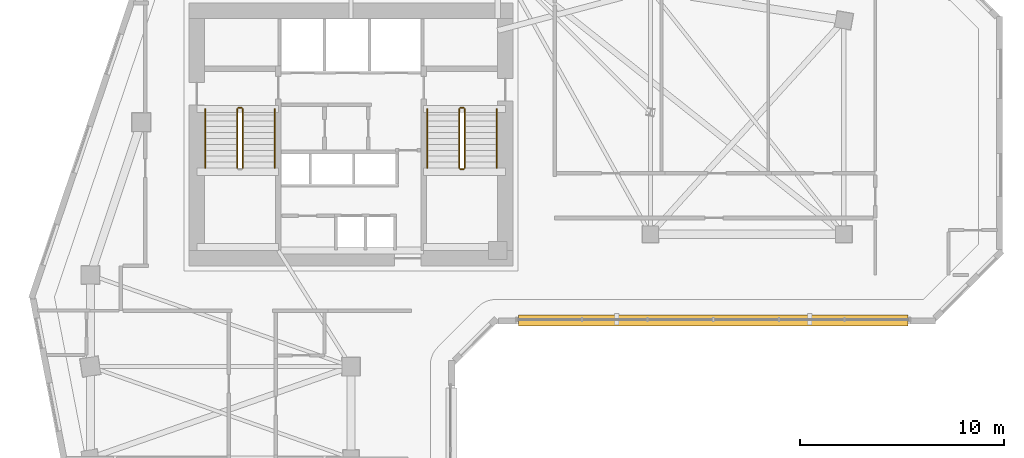
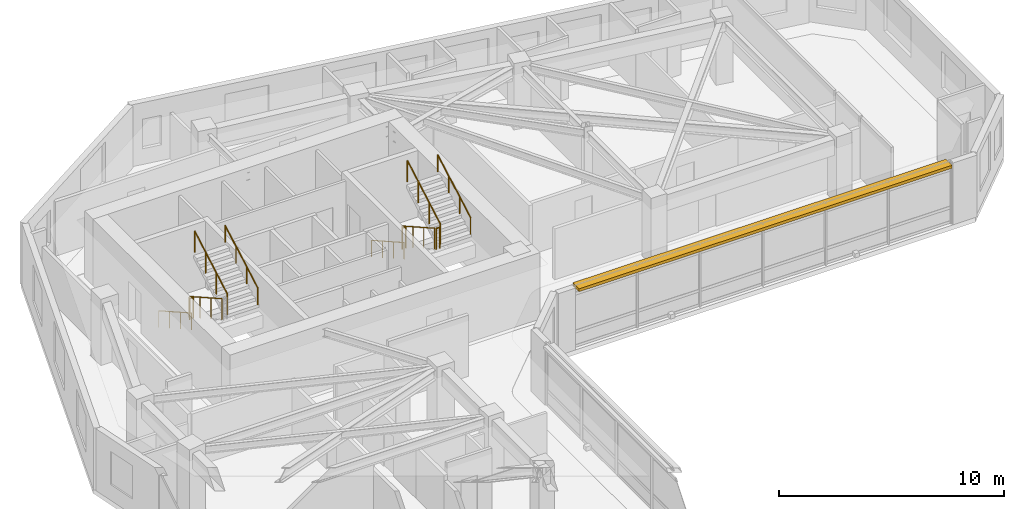
# One storey, part 11 of 11: 11 railings, 1 shading device.
"""IFC4 building model written with IfcOpenShell, lengths in metres."""

from ifc_helpers import new_model, si_unit, direction, frame, frame_2d, origin, origin_2d, place, context, subcontext, project, spatial, rectangle, circle, extrude, material, type_object, element, save


model = new_model("IFC4")

# Units and contexts
model_context = context("Model", 3, precision=1e-05, world=origin(), true_north=direction((0.0, 1.0)))
body_context = subcontext(model_context, "Body", "Model", "MODEL_VIEW")
ifc_project = project(units=[si_unit("LENGTHUNIT", "METRE"), si_unit("AREAUNIT", "SQUARE_METRE"), si_unit("VOLUMEUNIT", "CUBIC_METRE"), si_unit("PLANEANGLEUNIT", "RADIAN"), si_unit("MASSUNIT", "GRAM", prefix="KILO")], contexts=[model_context])

# Site, building, storey
site_placement = place(None, origin())
site = spatial("IfcSite", under=ifc_project, at=site_placement, CompositionType="ELEMENT")
building_placement = place(site_placement, origin())
building = spatial("IfcBuilding", under=site, at=building_placement, Name="Calvemar Wedge Station Tower", CompositionType="ELEMENT")
storey_placement = place(building_placement, frame((0.0, 0.0, 114.199951171875)))
storey = spatial("IfcBuildingStorey", under=building, at=storey_placement, Name="L27", CompositionType="ELEMENT", Elevation=114.199951171875)

# Railings
ifc_material_1 = material(Name="Stainless steel AISI 316L", Category="steel")
railing_type_1 = type_object("IfcRailingType", Name="RL-HANDRAIL-920", PredefinedType="HANDRAIL", material=ifc_material_1)
railing_1_placement = place(storey_placement, frame((16.64990234375, 41.14990234375, 0.16357421875)))
element("IfcRailing", 1, at=railing_1_placement, inside=storey, type_object=railing_type_1, Name="L27 ST-C1 stair handrail 1", PredefinedType="HANDRAIL", context=body_context, shape_type="SweptSolid", body=[
    extrude(circle(Radius=0.02392578125, at=origin_2d()), frame((0.0, 0.0, 0.89599609375), z_axis=(0.0, -0.870897200241, 0.491465224214), x_axis=(1.0, 0.0, 0.0)), (0.0, 0.0, 1.0), 3.329833984375),
    extrude(circle(Radius=0.02099609375, at=origin_2d()), origin(), (0.0, 0.0, 1.0), 0.871826171875),
    extrude(circle(Radius=0.02099609375, at=origin_2d()), frame((0.0, -0.966552734375, 0.54541015625)), (0.0, 0.0, 1.0), 0.871826171875),
    extrude(circle(Radius=0.02099609375, at=origin_2d()), frame((0.0, -1.933349609375, 1.091064453125)), (0.0, 0.0, 1.0), 0.871826171875),
    extrude(circle(Radius=0.02099609375, at=origin_2d()), frame((0.0, -2.89990234375, 1.636474609375)), (0.0, 0.0, 1.0), 0.871826171875),
])
railing_2_placement = place(storey_placement, frame((20.050048828125, 38.25, 1.963623046875)))
element("IfcRailing", 2, at=railing_2_placement, inside=storey, type_object=railing_type_1, Name="L27 ST-C1 stair handrail 2", PredefinedType="HANDRAIL", context=body_context, shape_type="SweptSolid", body=[
    extrude(circle(Radius=0.02392578125, at=origin_2d()), frame((0.0, 0.0, 0.89599609375), z_axis=(0.0, 0.870897200241, 0.491465224214), x_axis=(-1.0, 0.0, 0.0)), (0.0, 0.0, 1.0), 3.329833984375),
    extrude(circle(Radius=0.02099609375, at=origin_2d()), origin(), (0.0, 0.0, 1.0), 0.871826171875),
    extrude(circle(Radius=0.02099609375, at=origin_2d()), frame((0.0, 0.966552734375, 0.54541015625)), (0.0, 0.0, 1.0), 0.871826171875),
    extrude(circle(Radius=0.02099609375, at=origin_2d()), frame((0.0, 1.933349609375, 1.091064453125)), (0.0, 0.0, 1.0), 0.871826171875),
    extrude(circle(Radius=0.02099609375, at=origin_2d()), frame((0.0, 2.89990234375, 1.636474609375)), (0.0, 0.0, 1.0), 0.871826171875),
])
railing_3_placement = place(storey_placement, frame((27.550048828125, 41.14990234375, 0.16357421875)))
element("IfcRailing", 3, at=railing_3_placement, inside=storey, type_object=railing_type_1, Name="L27 ST-C2 stair handrail 1", PredefinedType="HANDRAIL", context=body_context, shape_type="SweptSolid", body=[
    extrude(circle(Radius=0.02392578125, at=origin_2d()), frame((0.0, 0.0, 0.89599609375), z_axis=(0.0, -0.870897200241, 0.491465224214), x_axis=(1.0, 0.0, 0.0)), (0.0, 0.0, 1.0), 3.329833984375),
    extrude(circle(Radius=0.02099609375, at=origin_2d()), origin(), (0.0, 0.0, 1.0), 0.871826171875),
    extrude(circle(Radius=0.02099609375, at=origin_2d()), frame((0.0, -0.966552734375, 0.54541015625)), (0.0, 0.0, 1.0), 0.871826171875),
    extrude(circle(Radius=0.02099609375, at=origin_2d()), frame((0.0, -1.933349609375, 1.091064453125)), (0.0, 0.0, 1.0), 0.871826171875),
    extrude(circle(Radius=0.02099609375, at=origin_2d()), frame((0.0, -2.89990234375, 1.636474609375)), (0.0, 0.0, 1.0), 0.871826171875),
])
railing_4_placement = place(storey_placement, frame((30.949951171875, 38.25, 1.963623046875)))
element("IfcRailing", 4, at=railing_4_placement, inside=storey, type_object=railing_type_1, Name="L27 ST-C2 stair handrail 2", PredefinedType="HANDRAIL", context=body_context, shape_type="SweptSolid", body=[
    extrude(circle(Radius=0.02392578125, at=origin_2d()), frame((0.0, 0.0, 0.89599609375), z_axis=(0.0, 0.870897200241, 0.491465224214), x_axis=(-1.0, 0.0, 0.0)), (0.0, 0.0, 1.0), 3.329833984375),
    extrude(circle(Radius=0.02099609375, at=origin_2d()), origin(), (0.0, 0.0, 1.0), 0.871826171875),
    extrude(circle(Radius=0.02099609375, at=origin_2d()), frame((0.0, 0.966552734375, 0.54541015625)), (0.0, 0.0, 1.0), 0.871826171875),
    extrude(circle(Radius=0.02099609375, at=origin_2d()), frame((0.0, 1.933349609375, 1.091064453125)), (0.0, 0.0, 1.0), 0.871826171875),
    extrude(circle(Radius=0.02099609375, at=origin_2d()), frame((0.0, 2.89990234375, 1.636474609375)), (0.0, 0.0, 1.0), 0.871826171875),
])
ifc_material_2 = material(Name="Painted steel guardrail ASTM A500 Grade C", Category="steel")
railing_type_2 = type_object("IfcRailingType", Name="RL-STAIR-GUARD-1150", PredefinedType="GUARDRAIL", material=ifc_material_2)
railing_5_placement = place(storey_placement, frame((18.2099609375, 41.14990234375, 0.16357421875)))
element("IfcRailing", 5, at=railing_5_placement, inside=storey, type_object=railing_type_2, Name="L27 ST-C1 stair guard 1", PredefinedType="GUARDRAIL", context=body_context, shape_type="SweptSolid", body=[
    extrude(circle(Radius=0.02392578125, at=origin_2d()), frame((0.0, 0.0, 1.1259765625), z_axis=(0.0, -0.870897200241, 0.491465224214), x_axis=(1.0, 0.0, 0.0)), (0.0, 0.0, 1.0), 3.329833984375),
    extrude(circle(Radius=0.02099609375, at=origin_2d()), origin(), (0.0, 0.0, 1.0), 1.101806640625),
    extrude(circle(Radius=0.02099609375, at=origin_2d()), frame((0.0, -0.966552734375, 0.54541015625)), (0.0, 0.0, 1.0), 1.101806640625),
    extrude(circle(Radius=0.02099609375, at=origin_2d()), frame((0.0, -1.933349609375, 1.091064453125)), (0.0, 0.0, 1.0), 1.101806640625),
    extrude(circle(Radius=0.02099609375, at=origin_2d()), frame((0.0, -2.89990234375, 1.636474609375)), (0.0, 0.0, 1.0), 1.101806640625),
])
railing_6_placement = place(storey_placement, frame((18.489990234375, 38.25, 1.963623046875)))
element("IfcRailing", 6, at=railing_6_placement, inside=storey, type_object=railing_type_2, Name="L27 ST-C1 stair guard 3", PredefinedType="GUARDRAIL", context=body_context, shape_type="SweptSolid", body=[
    extrude(circle(Radius=0.02392578125, at=origin_2d()), frame((0.0, 0.0, 1.1259765625), z_axis=(0.0, 0.870897200241, 0.491465224214), x_axis=(-1.0, 0.0, 0.0)), (0.0, 0.0, 1.0), 3.329833984375),
    extrude(circle(Radius=0.02099609375, at=origin_2d()), origin(), (0.0, 0.0, 1.0), 1.101806640625),
    extrude(circle(Radius=0.02099609375, at=origin_2d()), frame((0.0, 0.966552734375, 0.54541015625)), (0.0, 0.0, 1.0), 1.101806640625),
    extrude(circle(Radius=0.02099609375, at=origin_2d()), frame((0.0, 1.933349609375, 1.091064453125)), (0.0, 0.0, 1.0), 1.101806640625),
    extrude(circle(Radius=0.02099609375, at=origin_2d()), frame((0.0, 2.89990234375, 1.636474609375)), (0.0, 0.0, 1.0), 1.101806640625),
])
railing_7_placement = place(storey_placement, frame((18.260009765625, 41.199951171875, 0.0)))
element("IfcRailing", 7, at=railing_7_placement, inside=storey, type_object=railing_type_2, Name="L27 ST-C1 stair guard 4", PredefinedType="GUARDRAIL", context=body_context, shape_type="SweptSolid", body=[
    extrude(circle(Radius=0.02392578125, at=origin_2d()), frame((0.0, 0.0, 1.1259765625), z_axis=(1.0, 0.0, 0.0), x_axis=(0.0, 1.0, 0.0)), (0.0, 0.0, 1.0), 0.179931640625),
    extrude(circle(Radius=0.02099609375, at=origin_2d()), origin(), (0.0, 0.0, 1.0), 1.101806640625),
    extrude(circle(Radius=0.02099609375, at=origin_2d()), frame((0.179931640625, 0.0, 0.0)), (0.0, 0.0, 1.0), 1.101806640625),
])
railing_8_placement = place(storey_placement, frame((29.110107421875, 41.14990234375, 0.16357421875)))
element("IfcRailing", 8, at=railing_8_placement, inside=storey, type_object=railing_type_2, Name="L27 ST-C2 stair guard 1", PredefinedType="GUARDRAIL", context=body_context, shape_type="SweptSolid", body=[
    extrude(circle(Radius=0.02392578125, at=origin_2d()), frame((0.0, 0.0, 1.1259765625), z_axis=(0.0, -0.870897200241, 0.491465224214), x_axis=(1.0, 0.0, 0.0)), (0.0, 0.0, 1.0), 3.329833984375),
    extrude(circle(Radius=0.02099609375, at=origin_2d()), origin(), (0.0, 0.0, 1.0), 1.101806640625),
    extrude(circle(Radius=0.02099609375, at=origin_2d()), frame((0.0, -0.966552734375, 0.54541015625)), (0.0, 0.0, 1.0), 1.101806640625),
    extrude(circle(Radius=0.02099609375, at=origin_2d()), frame((0.0, -1.933349609375, 1.091064453125)), (0.0, 0.0, 1.0), 1.101806640625),
    extrude(circle(Radius=0.02099609375, at=origin_2d()), frame((0.0, -2.89990234375, 1.636474609375)), (0.0, 0.0, 1.0), 1.101806640625),
])
railing_9_placement = place(storey_placement, frame((29.159912109375, 38.199951171875, 1.800048828125)))
element("IfcRailing", 9, at=railing_9_placement, inside=storey, type_object=railing_type_2, Name="L27 ST-C2 stair guard 2", PredefinedType="GUARDRAIL", context=body_context, shape_type="SweptSolid", body=[
    extrude(circle(Radius=0.02392578125, at=origin_2d()), frame((0.0, 0.0, 1.1259765625), z_axis=(1.0, 0.0, 0.0), x_axis=(0.0, 1.0, 0.0)), (0.0, 0.0, 1.0), 0.18017578125),
    extrude(circle(Radius=0.02099609375, at=origin_2d()), origin(), (0.0, 0.0, 1.0), 1.101806640625),
    extrude(circle(Radius=0.02099609375, at=origin_2d()), frame((0.18017578125, 0.0, 0.0)), (0.0, 0.0, 1.0), 1.101806640625),
])
railing_10_placement = place(storey_placement, frame((29.389892578125, 38.25, 1.963623046875)))
element("IfcRailing", 10, at=railing_10_placement, inside=storey, type_object=railing_type_2, Name="L27 ST-C2 stair guard 3", PredefinedType="GUARDRAIL", context=body_context, shape_type="SweptSolid", body=[
    extrude(circle(Radius=0.02392578125, at=origin_2d()), frame((0.0, 0.0, 1.1259765625), z_axis=(0.0, 0.870897200241, 0.491465224214), x_axis=(-1.0, 0.0, 0.0)), (0.0, 0.0, 1.0), 3.329833984375),
    extrude(circle(Radius=0.02099609375, at=origin_2d()), origin(), (0.0, 0.0, 1.0), 1.101806640625),
    extrude(circle(Radius=0.02099609375, at=origin_2d()), frame((0.0, 0.966552734375, 0.54541015625)), (0.0, 0.0, 1.0), 1.101806640625),
    extrude(circle(Radius=0.02099609375, at=origin_2d()), frame((0.0, 1.933349609375, 1.091064453125)), (0.0, 0.0, 1.0), 1.101806640625),
    extrude(circle(Radius=0.02099609375, at=origin_2d()), frame((0.0, 2.89990234375, 1.636474609375)), (0.0, 0.0, 1.0), 1.101806640625),
])
railing_11_placement = place(storey_placement, frame((29.159912109375, 41.199951171875, 0.0)))
element("IfcRailing", 11, at=railing_11_placement, inside=storey, type_object=railing_type_2, Name="L27 ST-C2 stair guard 4", PredefinedType="GUARDRAIL", context=body_context, shape_type="SweptSolid", body=[
    extrude(circle(Radius=0.02392578125, at=origin_2d()), frame((0.0, 0.0, 1.1259765625), z_axis=(1.0, 0.0, 0.0), x_axis=(0.0, 1.0, 0.0)), (0.0, 0.0, 1.0), 0.18017578125),
    extrude(circle(Radius=0.02099609375, at=origin_2d()), origin(), (0.0, 0.0, 1.0), 1.101806640625),
    extrude(circle(Radius=0.02099609375, at=origin_2d()), frame((0.18017578125, 0.0, 0.0)), (0.0, 0.0, 1.0), 1.101806640625),
])

# Shading device
ifc_material_3 = material(Name="Precast concrete C45", Category="concrete")
shading_device_type = type_object("IfcShadingDeviceType", Name="SHD-EYEBROW-1", PredefinedType="SHUTTER", material=ifc_material_3)
shading_device_placement = place(storey_placement, frame((32.033935546875, 30.761962890625, 3.170166015625), z_axis=(0.0, 0.0, 1.0), x_axis=(1.0, 0.0, 0.0)))
element("IfcShadingDevice", 12, at=shading_device_placement, inside=storey, type_object=shading_device_type, Name="Storey L27 Bronze GFRC Solar Eyebrow 6", PredefinedType="SHUTTER", context=body_context, shape_type="SweptSolid", body=[
    extrude(rectangle(XDim=19.10400390625, YDim=0.550048828125, at=frame_2d((9.552001953125, 0.0))), origin(), (0.0, 0.0, 1.0), 0.159912109375),
])

save(model, "model.ifc")
